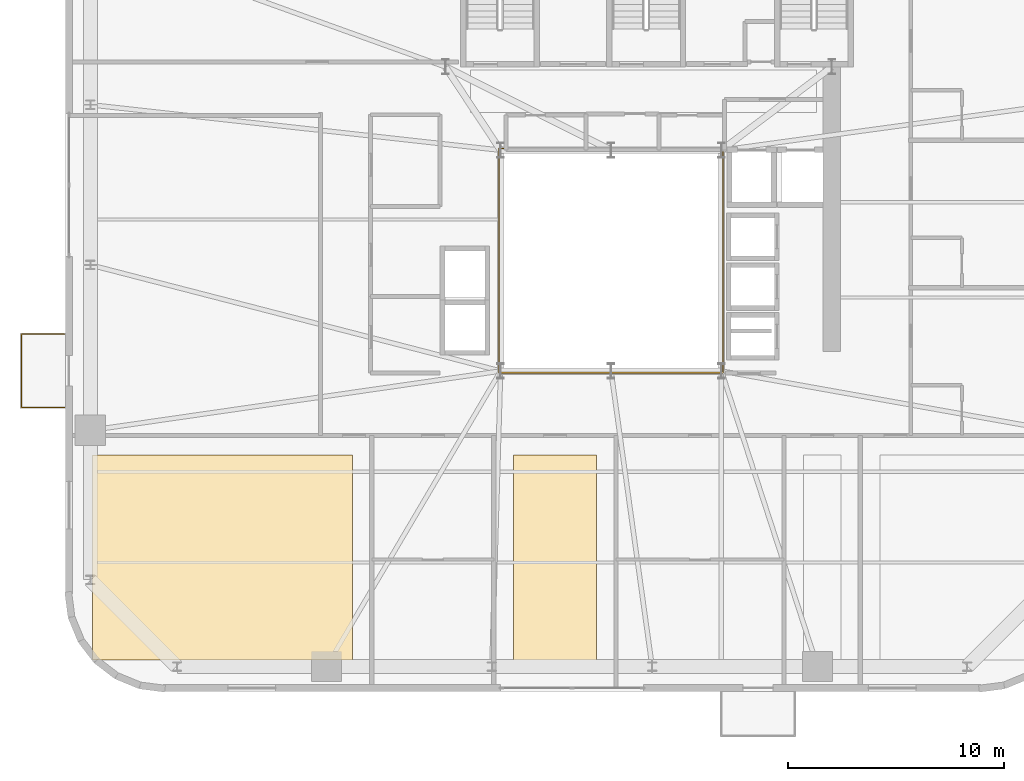
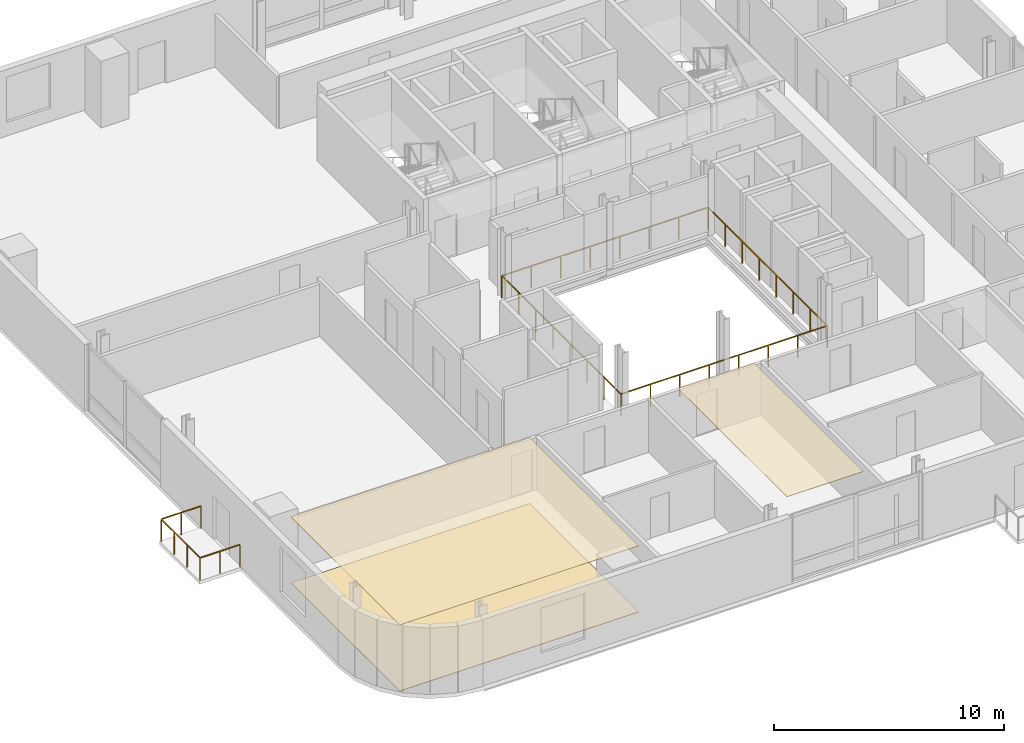
# One storey, part 12 of 15: 3 coverings, 2 railings.
"""IFC4 building model written with IfcOpenShell, lengths in metres."""

from ifc_helpers import new_model, si_unit, direction, frame, origin, origin_2d, place, context, subcontext, project, spatial, polyline, rectangle, outline, extrude, source, transform, mapped, material, layer, layer_set, type_object, element, save


model = new_model("IFC4")

# Units and contexts
model_context = context("Model", 3, precision=1e-05, world=origin(), true_north=direction((0.0, 1.0)))
body_context = subcontext(model_context, "Body", "Model", "MODEL_VIEW")
ifc_project = project(units=[si_unit("LENGTHUNIT", "METRE"), si_unit("AREAUNIT", "SQUARE_METRE"), si_unit("VOLUMEUNIT", "CUBIC_METRE"), si_unit("PLANEANGLEUNIT", "RADIAN"), si_unit("MASSUNIT", "GRAM", prefix="KILO")], contexts=[model_context])

# Site, building, storey
site_placement = place(None, origin())
site = spatial("IfcSite", under=ifc_project, at=site_placement, CompositionType="ELEMENT")
building_placement = place(site_placement, origin())
building = spatial("IfcBuilding", under=site, at=building_placement, Name="Vardaveli Station Tower", CompositionType="ELEMENT")
storey_placement = place(building_placement, frame((0.0, 0.0, 229.800048828125)))
storey = spatial("IfcBuildingStorey", under=building, at=storey_placement, Name="L59", CompositionType="ELEMENT", Elevation=229.800048828125)

# Coverings
ifc_material_1 = material(Name="Perforated acoustic mineral ceiling")
ifc_layer_1 = layer(ifc_material_1, 0.02001953125, Name="Perforated acoustic mineral ceiling")
ifc_layer_set_1 = layer_set([ifc_layer_1], Name="Perforated acoustic mineral ceiling")
covering_type_1 = type_object("IfcCoveringType", Name="COV-CEIL-AC20", PredefinedType="CEILING", material=ifc_layer_set_1)
covering_1_placement = place(storey_placement, frame((0.0, 0.0, 3.514892578125)))
element("IfcCovering", 1, at=covering_1_placement, inside=storey, type_object=covering_type_1, Name="CEIL-L59-1", PredefinedType="CEILING", context=body_context, shape_type="SweptSolid", body=[
    extrude(outline(polyline([(12.35009765625, 3.25), (24.35009765625, 3.25), (24.35009765625, 12.72998046875), (12.35009765625, 12.72998046875), (12.35009765625, 3.25)])), origin(), (0.0, 0.0, 1.0), 0.02001953125),
])
covering_2_placement = place(storey_placement, frame((0.0, 0.0, 3.514892578125)))
element("IfcCovering", 2, at=covering_2_placement, inside=storey, type_object=covering_type_1, Name="CEIL-L59-2", PredefinedType="CEILING", context=body_context, shape_type="SweptSolid", body=[
    extrude(outline(polyline([(31.79248046875, 3.25), (35.635009765625, 3.25), (35.635009765625, 12.72998046875), (31.79248046875, 12.72998046875), (31.79248046875, 3.25)])), origin(), (0.0, 0.0, 1.0), 0.02001953125),
])
ifc_material_2 = material(Name="Honed Caucasian basalt and travertine flooring", Category="masonry")
ifc_layer_2 = layer(ifc_material_2, 0.030029296875, Name="Honed Caucasian basalt and travertine flooring")
ifc_layer_set_2 = layer_set([ifc_layer_2], Name="Honed Caucasian basalt and travertine flooring")
covering_type_2 = type_object("IfcCoveringType", Name="COV-FLOOR-ST30", PredefinedType="FLOORING", material=ifc_layer_set_2)
covering_3_placement = place(storey_placement, origin())
element("IfcCovering", 3, at=covering_3_placement, inside=storey, type_object=covering_type_2, Name="FLR-L59-1", PredefinedType="FLOORING", context=body_context, shape_type="SweptSolid", body=[
    extrude(outline(polyline([(12.35009765625, 3.25), (24.35009765625, 3.25), (24.35009765625, 12.72998046875), (12.35009765625, 12.72998046875), (12.35009765625, 3.25)])), origin(), (0.0, 0.0, 1.0), 0.030029296875),
])

# Railings
ifc_material_3 = material(Name="Laminated glass and stainless steel balustrade", Category="steel")
railing_type = type_object("IfcRailingType", Name="RL-BAL-1200", PredefinedType="BALUSTRADE", material=ifc_material_3)
shared_shape_1 = source(origin(), body_context, "Body", "SweptSolid", [
    extrude(rectangle(XDim=0.048095703125, YDim=0.048095703125, at=origin_2d()), frame((0.0, 0.0, 1.17578125), z_axis=(-1.0, 0.0, 0.0), x_axis=(0.0, -1.0, 0.0)), (0.0, 0.0, 1.0), 2.0),
    extrude(rectangle(XDim=0.048095703125, YDim=0.048095703125, at=origin_2d()), frame((-2.0, 0.0, 1.17578125), z_axis=(0.0, 1.0, 0.0), x_axis=(-1.0, 0.0, 0.0)), (0.0, 0.0, 1.0), 3.3798828125),
    extrude(rectangle(XDim=0.048095703125, YDim=0.048095703125, at=origin_2d()), frame((-2.0, 3.3798828125, 1.17578125), z_axis=(1.0, 0.0, 0.0), x_axis=(0.0, 1.0, 0.0)), (0.0, 0.0, 1.0), 2.0),
    extrude(rectangle(XDim=0.0419921875, YDim=0.0419921875, at=origin_2d()), origin(), (0.0, 0.0, 1.0), 1.15185546875),
    extrude(rectangle(XDim=0.0419921875, YDim=0.0419921875, at=origin_2d()), frame((-1.0, 0.0, 0.0)), (0.0, 0.0, 1.0), 1.15185546875),
    extrude(rectangle(XDim=0.0419921875, YDim=0.0419921875, at=origin_2d()), frame((-2.0, 0.0, 0.0)), (0.0, 0.0, 1.0), 1.15185546875),
    extrude(rectangle(XDim=0.0419921875, YDim=0.0419921875, at=origin_2d()), frame((-2.0, 1.126708984375, 0.0)), (0.0, 0.0, 1.0), 1.15185546875),
    extrude(rectangle(XDim=0.0419921875, YDim=0.0419921875, at=origin_2d()), frame((-2.0, 2.253173828125, 0.0)), (0.0, 0.0, 1.0), 1.15185546875),
    extrude(rectangle(XDim=0.0419921875, YDim=0.0419921875, at=origin_2d()), frame((-2.0, 3.3798828125, 0.0)), (0.0, 0.0, 1.0), 1.15185546875),
    extrude(rectangle(XDim=0.0419921875, YDim=0.0419921875, at=origin_2d()), frame((-1.0, 3.3798828125, 0.0)), (0.0, 0.0, 1.0), 1.15185546875),
    extrude(rectangle(XDim=0.0419921875, YDim=0.0419921875, at=origin_2d()), frame((0.0, 3.3798828125, 0.0)), (0.0, 0.0, 1.0), 1.15185546875),
])
railing_1_placement = place(storey_placement, frame((11.06005859375, 14.92041015625, 0.0)))
element("IfcRailing", 4, at=railing_1_placement, inside=storey, type_object=railing_type, Name="RL-LOG-L59-03", PredefinedType="BALUSTRADE", context=body_context, shape_type="MappedRepresentation", body=[
    mapped(shared_shape_1, transform((0.0, 0.0, 0.0), scale=1.0)),
])
shared_shape_2 = source(origin(), body_context, "Body", "SweptSolid", [
    extrude(rectangle(XDim=0.048095703125, YDim=0.048095703125, at=origin_2d()), frame((0.0, 0.0, 1.17578125), z_axis=(1.0, 0.0, 0.0), x_axis=(0.0, 1.0, 0.0)), (0.0, 0.0, 1.0), 10.35986328125),
    extrude(rectangle(XDim=0.048095703125, YDim=0.048095703125, at=origin_2d()), frame((10.35986328125, 0.0, 1.17578125), z_axis=(0.0, 1.0, 0.0), x_axis=(-1.0, 0.0, 0.0)), (0.0, 0.0, 1.0), 10.35986328125),
    extrude(rectangle(XDim=0.048095703125, YDim=0.048095703125, at=origin_2d()), frame((10.35986328125, 10.35986328125, 1.17578125), z_axis=(-1.0, 0.0, 0.0), x_axis=(0.0, -1.0, 0.0)), (0.0, 0.0, 1.0), 10.35986328125),
    extrude(rectangle(XDim=0.048095703125, YDim=0.048095703125, at=origin_2d()), frame((0.0, 10.35986328125, 1.17578125), z_axis=(0.0, -1.0, 0.0), x_axis=(1.0, 0.0, 0.0)), (0.0, 0.0, 1.0), 10.35986328125),
    extrude(rectangle(XDim=0.0419921875, YDim=0.0419921875, at=origin_2d()), origin(), (0.0, 0.0, 1.0), 1.15185546875),
    extrude(rectangle(XDim=0.0419921875, YDim=0.0419921875, at=origin_2d()), frame((1.47998046875, 0.0, 0.0)), (0.0, 0.0, 1.0), 1.15185546875),
    extrude(rectangle(XDim=0.0419921875, YDim=0.0419921875, at=origin_2d()), frame((2.9599609375, 0.0, 0.0)), (0.0, 0.0, 1.0), 1.15185546875),
    extrude(rectangle(XDim=0.0419921875, YDim=0.0419921875, at=origin_2d()), frame((4.43994140625, 0.0, 0.0)), (0.0, 0.0, 1.0), 1.15185546875),
    extrude(rectangle(XDim=0.0419921875, YDim=0.0419921875, at=origin_2d()), frame((5.919921875, 0.0, 0.0)), (0.0, 0.0, 1.0), 1.15185546875),
    extrude(rectangle(XDim=0.0419921875, YDim=0.0419921875, at=origin_2d()), frame((7.39990234375, 0.0, 0.0)), (0.0, 0.0, 1.0), 1.15185546875),
    extrude(rectangle(XDim=0.0419921875, YDim=0.0419921875, at=origin_2d()), frame((8.8798828125, 0.0, 0.0)), (0.0, 0.0, 1.0), 1.15185546875),
    extrude(rectangle(XDim=0.0419921875, YDim=0.0419921875, at=origin_2d()), frame((10.35986328125, 0.0, 0.0)), (0.0, 0.0, 1.0), 1.15185546875),
    extrude(rectangle(XDim=0.0419921875, YDim=0.0419921875, at=origin_2d()), frame((10.35986328125, 1.47998046875, 0.0)), (0.0, 0.0, 1.0), 1.15185546875),
    extrude(rectangle(XDim=0.0419921875, YDim=0.0419921875, at=origin_2d()), frame((10.35986328125, 2.9599609375, 0.0)), (0.0, 0.0, 1.0), 1.15185546875),
    extrude(rectangle(XDim=0.0419921875, YDim=0.0419921875, at=origin_2d()), frame((10.35986328125, 4.43994140625, 0.0)), (0.0, 0.0, 1.0), 1.15185546875),
    extrude(rectangle(XDim=0.0419921875, YDim=0.0419921875, at=origin_2d()), frame((10.35986328125, 5.919921875, 0.0)), (0.0, 0.0, 1.0), 1.15185546875),
    extrude(rectangle(XDim=0.0419921875, YDim=0.0419921875, at=origin_2d()), frame((10.35986328125, 7.39990234375, 0.0)), (0.0, 0.0, 1.0), 1.15185546875),
    extrude(rectangle(XDim=0.0419921875, YDim=0.0419921875, at=origin_2d()), frame((10.35986328125, 8.8798828125, 0.0)), (0.0, 0.0, 1.0), 1.15185546875),
    extrude(rectangle(XDim=0.0419921875, YDim=0.0419921875, at=origin_2d()), frame((10.35986328125, 10.35986328125, 0.0)), (0.0, 0.0, 1.0), 1.15185546875),
    extrude(rectangle(XDim=0.0419921875, YDim=0.0419921875, at=origin_2d()), frame((8.8798828125, 10.35986328125, 0.0)), (0.0, 0.0, 1.0), 1.15185546875),
    extrude(rectangle(XDim=0.0419921875, YDim=0.0419921875, at=origin_2d()), frame((7.39990234375, 10.35986328125, 0.0)), (0.0, 0.0, 1.0), 1.15185546875),
    extrude(rectangle(XDim=0.0419921875, YDim=0.0419921875, at=origin_2d()), frame((5.919921875, 10.35986328125, 0.0)), (0.0, 0.0, 1.0), 1.15185546875),
    extrude(rectangle(XDim=0.0419921875, YDim=0.0419921875, at=origin_2d()), frame((4.43994140625, 10.35986328125, 0.0)), (0.0, 0.0, 1.0), 1.15185546875),
    extrude(rectangle(XDim=0.0419921875, YDim=0.0419921875, at=origin_2d()), frame((2.9599609375, 10.35986328125, 0.0)), (0.0, 0.0, 1.0), 1.15185546875),
    extrude(rectangle(XDim=0.0419921875, YDim=0.0419921875, at=origin_2d()), frame((1.47998046875, 10.35986328125, 0.0)), (0.0, 0.0, 1.0), 1.15185546875),
    extrude(rectangle(XDim=0.0419921875, YDim=0.0419921875, at=origin_2d()), frame((0.0, 10.35986328125, 0.0)), (0.0, 0.0, 1.0), 1.15185546875),
    extrude(rectangle(XDim=0.0419921875, YDim=0.0419921875, at=origin_2d()), frame((0.0, 8.8798828125, 0.0)), (0.0, 0.0, 1.0), 1.15185546875),
    extrude(rectangle(XDim=0.0419921875, YDim=0.0419921875, at=origin_2d()), frame((0.0, 7.39990234375, 0.0)), (0.0, 0.0, 1.0), 1.15185546875),
    extrude(rectangle(XDim=0.0419921875, YDim=0.0419921875, at=origin_2d()), frame((0.0, 5.919921875, 0.0)), (0.0, 0.0, 1.0), 1.15185546875),
    extrude(rectangle(XDim=0.0419921875, YDim=0.0419921875, at=origin_2d()), frame((0.0, 4.43994140625, 0.0)), (0.0, 0.0, 1.0), 1.15185546875),
    extrude(rectangle(XDim=0.0419921875, YDim=0.0419921875, at=origin_2d()), frame((0.0, 2.9599609375, 0.0)), (0.0, 0.0, 1.0), 1.15185546875),
    extrude(rectangle(XDim=0.0419921875, YDim=0.0419921875, at=origin_2d()), frame((0.0, 1.47998046875, 0.0)), (0.0, 0.0, 1.0), 1.15185546875),
])
railing_2_placement = place(storey_placement, frame((31.1201171875, 16.52001953125, 0.0)))
element("IfcRailing", 5, at=railing_2_placement, inside=storey, type_object=railing_type, Name="RL-ATR-L59", PredefinedType="BALUSTRADE", context=body_context, shape_type="MappedRepresentation", body=[
    mapped(shared_shape_2, transform((0.0, 0.0, 0.0), scale=1.0)),
])

save(model, "model.ifc")
